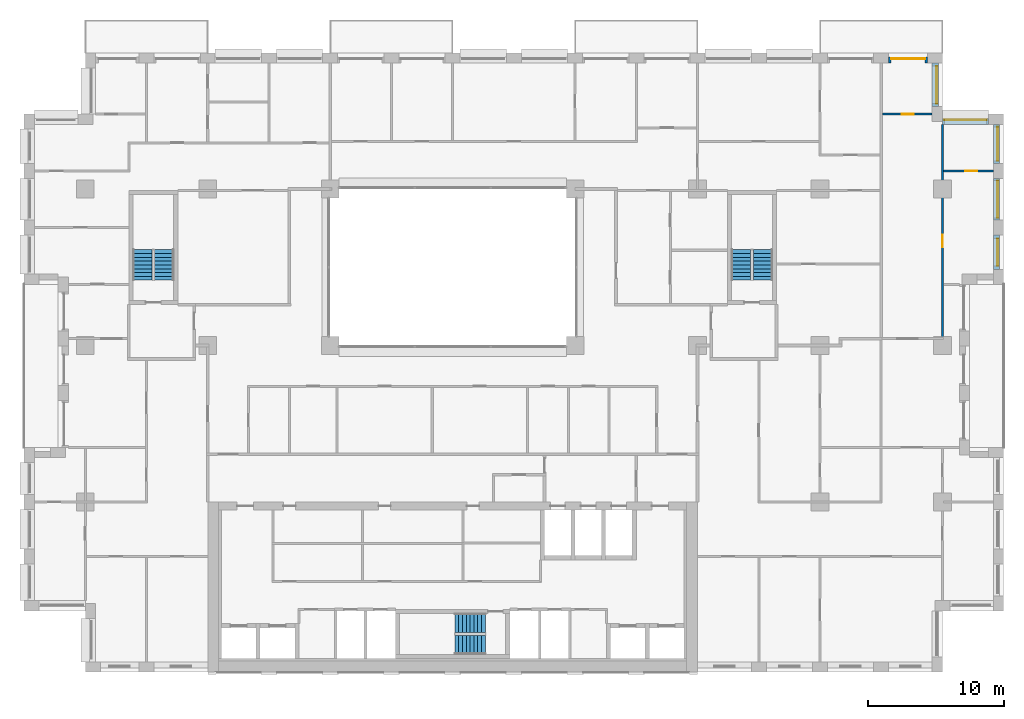
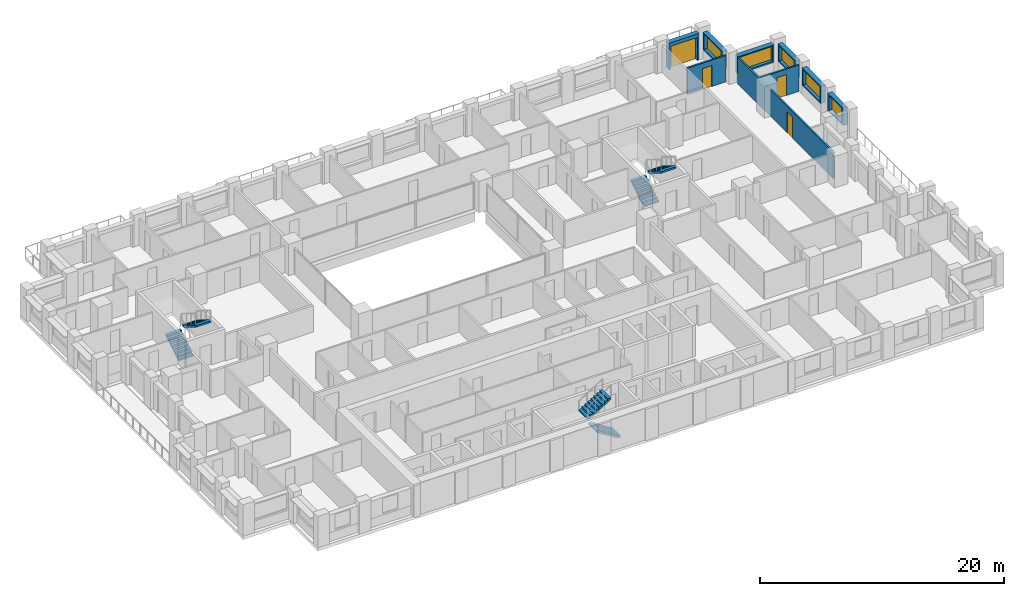
# One storey, part 15 of 17: 9 walls, 6 stair flights, 5 windows, 4 doors, 9 openings, 3 elements without a shape of their own.
"""IFC4 building model written with IfcOpenShell, lengths in metres."""

from ifc_helpers import new_model, si_unit, direction, frame, frame_2d, origin, place, context, subcontext, project, spatial, polyline, rectangle, outline, extrude, material, layer, layer_set, type_object, element, fill, aggregate, save


model = new_model("IFC4")

# Units and contexts
model_context = context("Model", 3, precision=1e-05, world=origin(), true_north=direction((0.0, 1.0)))
body_context = subcontext(model_context, "Body", "Model", "MODEL_VIEW")
ifc_project = project(units=[si_unit("LENGTHUNIT", "METRE"), si_unit("AREAUNIT", "SQUARE_METRE"), si_unit("VOLUMEUNIT", "CUBIC_METRE"), si_unit("PLANEANGLEUNIT", "RADIAN"), si_unit("MASSUNIT", "GRAM", prefix="KILO")], contexts=[model_context])

# Site, building, storey
site_placement = place(None, origin())
site = spatial("IfcSite", under=ifc_project, at=site_placement, CompositionType="ELEMENT")
building_placement = place(site_placement, origin())
building = spatial("IfcBuilding", under=site, at=building_placement, Name="Brigalow Station Residences", CompositionType="ELEMENT")
storey_placement = place(building_placement, frame((0.0, 0.0, 127.64990234375)))
storey = spatial("IfcBuildingStorey", under=building, at=storey_placement, Name="L37", CompositionType="ELEMENT", Elevation=127.64990234375)

# Wall, opening, window
ifc_material_1 = material(Name="Clay brick masonry", Category="masonry")
ifc_layer_1 = layer(ifc_material_1, 0.449951171875)
ifc_layer_set_1 = layer_set([ifc_layer_1], Name="BRICK INFILL WALL 450")
wall_type_1 = type_object("IfcWallType", Name="BRICK INFILL WALL 450", PredefinedType="SOLIDWALL", material=ifc_layer_set_1)
wall_1_placement = place(storey_placement, frame((75.97509765625, 29.60009765625, 0.900146484375), z_axis=(0.0, 0.0, 1.0), x_axis=(0.0, 1.0, 0.0)))
wall_1 = element("IfcWall", 1, at=wall_1_placement, inside=storey, type_object=wall_type_1, Name="L37/ewall/W-L37-18", PredefinedType="SOLIDWALL", context=body_context, shape_type="SweptSolid", body=[
    extrude(rectangle(XDim=2.516845703125, YDim=0.449951171875, at=frame_2d((1.25830078125, 0.0))), origin(), (0.0, 0.0, 1.0), 1.75),
])
opening_1_placement = place(wall_1_placement, frame((0.258544921875, 0.0, 0.14990234375)))
opening_1 = element("IfcOpeningElement", 2, at=opening_1_placement, cuts=wall_1, Name="Opening WT-7", PredefinedType="OPENING", context=body_context, shape_type="SweptSolid", body=[
    extrude(rectangle(XDim=2.0, YDim=1.5, at=frame_2d((1.0, 0.75))), frame((0.0, 0.23486328125, 0.0), z_axis=(0.0, -1.0, 0.0), x_axis=(1.0, 0.0, 0.0)), (0.0, 0.0, 1.0), 0.469970703125),
])
ifc_material_2 = material(Name="Anodised aluminium frame with double glazing", Category="aluminium")
window_type_1 = type_object("IfcWindowType", Name="WINDOW 2000x1500", PartitioningType="SINGLE_PANEL", PredefinedType="WINDOW", material=ifc_material_2)
window_1_placement = place(opening_1_placement, origin())
window_1 = element("IfcWindow", 3, at=window_1_placement, inside=storey, type_object=window_type_1, Name="L37/window/W-L37-18", OverallHeight=1.5, OverallWidth=2.0, PartitioningType="SINGLE_PANEL", PredefinedType="WINDOW", context=body_context, shape_type="SweptSolid", body=[
    extrude(rectangle(XDim=2.0, YDim=1.5, at=frame_2d((1.0, 0.75))), frame((0.0, -0.06494140625, 0.0), z_axis=(0.0, -1.0, 0.0), x_axis=(1.0, 0.0, 0.0)), (0.0, 0.0, 1.0), 0.06005859375),
])
fill(opening_1, window_1)

wall_2_placement = place(storey_placement, frame((75.97509765625, 33.217041015625, 0.900146484375), z_axis=(0.0, 0.0, 1.0), x_axis=(0.0, 1.0, 0.0)))
wall_2 = element("IfcWall", 4, at=wall_2_placement, inside=storey, type_object=wall_type_1, Name="L37/ewall/W-L37-19", PredefinedType="SOLIDWALL", context=body_context, shape_type="SweptSolid", body=[
    extrude(rectangle(XDim=3.06591796875, YDim=0.449951171875, at=frame_2d((1.532958984375, 0.0))), origin(), (0.0, 0.0, 1.0), 1.75),
])
opening_2_placement = place(wall_2_placement, frame((0.157958984375, 0.0, 0.14990234375)))
opening_2 = element("IfcOpeningElement", 5, at=opening_2_placement, cuts=wall_2, Name="Opening WT-3", PredefinedType="OPENING", context=body_context, shape_type="SweptSolid", body=[
    extrude(rectangle(XDim=2.75, YDim=1.5, at=frame_2d((1.375, 0.75))), frame((0.0, 0.23486328125, 0.0), z_axis=(0.0, -1.0, 0.0), x_axis=(1.0, 0.0, 0.0)), (0.0, 0.0, 1.0), 0.469970703125),
])
ifc_material_3 = material(Name="Anodised aluminium frame with double glazing", Category="aluminium")
window_type_2 = type_object("IfcWindowType", Name="WINDOW 2750x1500", PartitioningType="SINGLE_PANEL", PredefinedType="WINDOW", material=ifc_material_3)
window_2_placement = place(opening_2_placement, origin())
window_2 = element("IfcWindow", 6, at=window_2_placement, inside=storey, type_object=window_type_2, Name="L37/window/W-L37-19", OverallHeight=1.5, OverallWidth=2.75, PartitioningType="SINGLE_PANEL", PredefinedType="WINDOW", context=body_context, shape_type="SweptSolid", body=[
    extrude(rectangle(XDim=2.75, YDim=1.5, at=frame_2d((1.375, 0.75))), frame((0.0, -0.06494140625, 0.0), z_axis=(0.0, -1.0, 0.0), x_axis=(1.0, 0.0, 0.0)), (0.0, 0.0, 1.0), 0.06005859375),
])
fill(opening_2, window_2)

wall_3_placement = place(storey_placement, frame((75.97509765625, 37.383056640625, 0.900146484375), z_axis=(0.0, 0.0, 1.0), x_axis=(0.0, 1.0, 0.0)))
wall_3 = element("IfcWall", 7, at=wall_3_placement, inside=storey, type_object=wall_type_1, Name="L37/ewall/W-L37-20", PredefinedType="SOLIDWALL", context=body_context, shape_type="SweptSolid", body=[
    extrude(rectangle(XDim=2.866943359375, YDim=0.449951171875, at=frame_2d((1.43359375, 0.0))), origin(), (0.0, 0.0, 1.0), 1.75),
])
opening_3_placement = place(wall_3_placement, frame((0.18359375, 0.0, 0.14990234375)))
opening_3 = element("IfcOpeningElement", 8, at=opening_3_placement, cuts=wall_3, Name="Opening WT-5", PredefinedType="OPENING", context=body_context, shape_type="SweptSolid", body=[
    extrude(rectangle(XDim=2.5, YDim=1.5, at=frame_2d((1.25, 0.75))), frame((0.0, 0.23486328125, 0.0), z_axis=(0.0, -1.0, 0.0), x_axis=(1.0, 0.0, 0.0)), (0.0, 0.0, 1.0), 0.469970703125),
])
ifc_material_4 = material(Name="Anodised aluminium frame with double glazing", Category="aluminium")
window_type_3 = type_object("IfcWindowType", Name="WINDOW 2500x1500", PartitioningType="SINGLE_PANEL", PredefinedType="WINDOW", material=ifc_material_4)
window_3_placement = place(opening_3_placement, origin())
window_3 = element("IfcWindow", 9, at=window_3_placement, inside=storey, type_object=window_type_3, Name="L37/window/W-L37-20", OverallHeight=1.5, OverallWidth=2.5, PartitioningType="SINGLE_PANEL", PredefinedType="WINDOW", context=body_context, shape_type="SweptSolid", body=[
    extrude(rectangle(XDim=2.5, YDim=1.5, at=frame_2d((1.25, 0.75))), frame((0.0, -0.06494140625, 0.0), z_axis=(0.0, -1.0, 0.0), x_axis=(1.0, 0.0, 0.0)), (0.0, 0.0, 1.0), 0.06005859375),
])
fill(opening_3, window_3)

wall_4_placement = place(storey_placement, frame((75.39990234375, 40.47509765625, 0.900146484375), z_axis=(0.0, 0.0, 1.0), x_axis=(-1.0, 0.0, 0.0)))
wall_4 = element("IfcWall", 10, at=wall_4_placement, inside=storey, type_object=wall_type_1, Name="L37/ewall/W-L37-21", PredefinedType="SOLIDWALL", context=body_context, shape_type="SweptSolid", body=[
    extrude(rectangle(XDim=3.39990234375, YDim=0.449951171875, at=frame_2d((1.699951171875, 0.0))), origin(), (0.0, 0.0, 1.0), 1.75),
])
opening_4_placement = place(wall_4_placement, frame((0.14990234375, 0.0, 0.14990234375)))
opening_4 = element("IfcOpeningElement", 11, at=opening_4_placement, cuts=wall_4, Name="Opening WT-8", PredefinedType="OPENING", context=body_context, shape_type="SweptSolid", body=[
    extrude(rectangle(XDim=3.10009765625, YDim=1.5, at=frame_2d((1.550048828125, 0.75))), frame((0.0, 0.23486328125, 0.0), z_axis=(0.0, -1.0, 0.0), x_axis=(1.0, 0.0, 0.0)), (0.0, 0.0, 1.0), 0.469970703125),
])
ifc_material_5 = material(Name="Anodised aluminium frame with double glazing", Category="aluminium")
window_type_4 = type_object("IfcWindowType", Name="WINDOW 3100x1500", PartitioningType="SINGLE_PANEL", PredefinedType="WINDOW", material=ifc_material_5)
window_4_placement = place(opening_4_placement, origin())
window_4 = element("IfcWindow", 12, at=window_4_placement, inside=storey, type_object=window_type_4, Name="L37/window/W-L37-21", OverallHeight=1.5, OverallWidth=3.10009765625, PartitioningType="SINGLE_PANEL", PredefinedType="WINDOW", context=body_context, shape_type="SweptSolid", body=[
    extrude(rectangle(XDim=3.10009765625, YDim=1.5, at=frame_2d((1.550048828125, 0.75))), frame((0.0, -0.06494140625, 0.0), z_axis=(0.0, -1.0, 0.0), x_axis=(1.0, 0.0, 0.0)), (0.0, 0.0, 1.0), 0.06005859375),
])
fill(opening_4, window_4)

wall_5_placement = place(storey_placement, frame((71.47509765625, 41.550048828125, 0.900146484375), z_axis=(0.0, 0.0, 1.0), x_axis=(0.0, 1.0, 0.0)))
wall_5 = element("IfcWall", 13, at=wall_5_placement, inside=storey, type_object=wall_type_1, Name="L37/ewall/W-L37-22", PredefinedType="SOLIDWALL", context=body_context, shape_type="SweptSolid", body=[
    extrude(rectangle(XDim=3.199951171875, YDim=0.449951171875, at=frame_2d((1.60009765625, 0.0))), origin(), (0.0, 0.0, 1.0), 1.75),
])
opening_5_placement = place(wall_5_placement, frame((0.22509765625, 0.0, 0.14990234375)))
opening_5 = element("IfcOpeningElement", 14, at=opening_5_placement, cuts=wall_5, Name="Opening WT-3", PredefinedType="OPENING", context=body_context, shape_type="SweptSolid", body=[
    extrude(rectangle(XDim=2.75, YDim=1.5, at=frame_2d((1.375, 0.75))), frame((0.0, 0.23486328125, 0.0), z_axis=(0.0, -1.0, 0.0), x_axis=(1.0, 0.0, 0.0)), (0.0, 0.0, 1.0), 0.469970703125),
])
window_5_placement = place(opening_5_placement, origin())
window_5 = element("IfcWindow", 15, at=window_5_placement, inside=storey, type_object=window_type_2, Name="L37/window/W-L37-22", OverallHeight=1.5, OverallWidth=2.75, PartitioningType="SINGLE_PANEL", PredefinedType="WINDOW", context=body_context, shape_type="SweptSolid", body=[
    extrude(rectangle(XDim=2.75, YDim=1.5, at=frame_2d((1.375, 0.75))), frame((0.0, -0.06494140625, 0.0), z_axis=(0.0, -1.0, 0.0), x_axis=(1.0, 0.0, 0.0)), (0.0, 0.0, 1.0), 0.06005859375),
])
fill(opening_5, window_5)

# Wall, opening, door
wall_6_placement = place(storey_placement, frame((70.89990234375, 44.97509765625, 0.0), z_axis=(0.0, 0.0, 1.0), x_axis=(-1.0, 0.0, 0.0)))
wall_6 = element("IfcWall", 16, at=wall_6_placement, inside=storey, type_object=wall_type_1, Name="L37/ewall/W-L37-23", PredefinedType="SOLIDWALL", context=body_context, shape_type="SweptSolid", body=[
    extrude(rectangle(XDim=2.849853515625, YDim=0.449951171875, at=frame_2d((1.4248046875, 0.0))), origin(), (0.0, 0.0, 1.0), 2.650146484375),
])
opening_6_placement = place(wall_6_placement, frame((0.175048828125, 0.0, 0.0)))
opening_6 = element("IfcOpeningElement", 17, at=opening_6_placement, cuts=wall_6, Name="Opening D-B2500", PredefinedType="OPENING", context=body_context, shape_type="SweptSolid", body=[
    extrude(rectangle(XDim=2.5, YDim=2.300048828125, at=frame_2d((1.25, 1.14990234375))), frame((0.0, 0.23486328125, 0.0), z_axis=(0.0, -1.0, 0.0), x_axis=(1.0, 0.0, 0.0)), (0.0, 0.0, 1.0), 0.469970703125),
])
ifc_material_6 = material(Name="Anodised aluminium frame with double glazing", Category="aluminium")
door_type_1 = type_object("IfcDoorType", Name="BALCONY SLIDING DOOR 2500x2300", OperationType="SLIDING_TO_LEFT", PredefinedType="DOOR", material=ifc_material_6)
door_1_placement = place(opening_6_placement, origin())
door_1 = element("IfcDoor", 18, at=door_1_placement, inside=storey, type_object=door_type_1, Name="L37/balcony-door/W-L37-23", OperationType="SLIDING_TO_LEFT", OverallHeight=2.300048828125, OverallWidth=2.5, PredefinedType="DOOR", context=body_context, shape_type="SweptSolid", body=[
    extrude(rectangle(XDim=2.5, YDim=2.300048828125, at=frame_2d((1.25, 1.14990234375))), frame((0.0, -0.06982421875, 0.0), z_axis=(0.0, -1.0, 0.0), x_axis=(1.0, 0.0, 0.0)), (0.0, 0.0, 1.0), 0.050048828125),
])
fill(opening_6, door_1)

ifc_material_7 = material(Name="Plasterboard on steel stud partition", Category="steel")
ifc_layer_2 = layer(ifc_material_7, 0.14990234375)
ifc_layer_set_2 = layer_set([ifc_layer_2], Name="FLAT PARTITION 150")
wall_type_2 = type_object("IfcWallType", Name="FLAT PARTITION 150", PredefinedType="PARTITIONING", material=ifc_layer_set_2)
wall_7_placement = place(storey_placement, frame((72.074951171875, 36.8330078125, 0.0), z_axis=(0.0, 0.0, 1.0), x_axis=(1.0, 0.0, 0.0)))
wall_7 = element("IfcWall", 19, at=wall_7_placement, inside=storey, type_object=wall_type_2, Name="PW-2F24", PredefinedType="PARTITIONING", context=body_context, shape_type="SweptSolid", body=[
    extrude(rectangle(XDim=3.675048828125, YDim=0.14990234375, at=frame_2d((1.83740234375, 0.0))), origin(), (0.0, 0.0, 1.0), 2.650146484375),
])
opening_7_placement = place(wall_7_placement, frame((1.60009765625, 0.0, 0.0)))
opening_7 = element("IfcOpeningElement", 20, at=opening_7_placement, cuts=wall_7, Name="Opening D-2F48", PredefinedType="OPENING", context=body_context, shape_type="SweptSolid", body=[
    extrude(rectangle(XDim=0.89990234375, YDim=2.10009765625, at=frame_2d((0.449951171875, 1.050048828125))), frame((0.0, 0.0849609375, 0.0), z_axis=(0.0, -1.0, 0.0), x_axis=(1.0, 0.0, 0.0)), (0.0, 0.0, 1.0), 0.169921875),
])
ifc_material_8 = material(Name="Solid-core timber door leaf", Category="wood")
door_type_2 = type_object("IfcDoorType", Name="INTERNAL DOOR 900 x 2100", OperationType="SINGLE_SWING_LEFT", PredefinedType="DOOR", material=ifc_material_8)
door_2_placement = place(opening_7_placement, origin())
door_2 = element("IfcDoor", 21, at=door_2_placement, inside=storey, type_object=door_type_2, Name="D-2F48", OperationType="SINGLE_SWING_RIGHT", OverallHeight=2.10009765625, OverallWidth=0.89990234375, PredefinedType="DOOR", context=body_context, shape_type="SweptSolid", body=[
    extrude(rectangle(XDim=0.89990234375, YDim=2.10009765625, at=frame_2d((0.449951171875, 1.050048828125))), frame((0.0, 0.02490234375, 0.0), z_axis=(0.0, -1.0, 0.0), x_axis=(1.0, 0.0, 0.0)), (0.0, 0.0, 1.0), 0.050048828125),
])
fill(opening_7, door_2)

wall_8_placement = place(storey_placement, frame((67.60009765625, 41.0, 0.0), z_axis=(0.0, 0.0, 1.0), x_axis=(1.0, 0.0, 0.0)))
wall_8 = element("IfcWall", 22, at=wall_8_placement, inside=storey, type_object=wall_type_2, Name="PW-2F30", PredefinedType="PARTITIONING", context=body_context, shape_type="SweptSolid", body=[
    extrude(rectangle(XDim=3.64990234375, YDim=0.14990234375, at=frame_2d((1.824951171875, 0.0))), origin(), (0.0, 0.0, 1.0), 2.650146484375),
])
opening_8_placement = place(wall_8_placement, frame((1.39990234375, 0.0, 0.0)))
opening_8 = element("IfcOpeningElement", 23, at=opening_8_placement, cuts=wall_8, Name="Opening D-2F49", PredefinedType="OPENING", context=body_context, shape_type="SweptSolid", body=[
    extrude(rectangle(XDim=0.89990234375, YDim=2.10009765625, at=frame_2d((0.449951171875, 1.050048828125))), frame((0.0, 0.0849609375, 0.0), z_axis=(0.0, -1.0, 0.0), x_axis=(1.0, 0.0, 0.0)), (0.0, 0.0, 1.0), 0.169921875),
])
door_3_placement = place(opening_8_placement, origin())
door_3 = element("IfcDoor", 24, at=door_3_placement, inside=storey, type_object=door_type_2, Name="D-2F49", OperationType="SINGLE_SWING_RIGHT", OverallHeight=2.10009765625, OverallWidth=0.89990234375, PredefinedType="DOOR", context=body_context, shape_type="SweptSolid", body=[
    extrude(rectangle(XDim=0.89990234375, YDim=2.10009765625, at=frame_2d((0.449951171875, 1.050048828125))), frame((0.0, 0.02490234375, 0.0), z_axis=(0.0, -1.0, 0.0), x_axis=(1.0, 0.0, 0.0)), (0.0, 0.0, 1.0), 0.050048828125),
])
fill(opening_8, door_3)

wall_9_placement = place(storey_placement, frame((72.0, 24.574951171875, 0.0), z_axis=(0.0, 0.0, 1.0), x_axis=(0.0, 1.0, 0.0)))
wall_9 = element("IfcWall", 25, at=wall_9_placement, inside=storey, type_object=wall_type_2, Name="PW-2F71", PredefinedType="PARTITIONING", context=body_context, shape_type="SweptSolid", body=[
    extrude(rectangle(XDim=15.675048828125, YDim=0.14990234375, at=frame_2d((7.83740234375, 0.0))), origin(), (0.0, 0.0, 1.0), 2.650146484375),
])
opening_9_placement = place(wall_9_placement, frame((6.64990234375, 0.0, 0.0)))
opening_9 = element("IfcOpeningElement", 26, at=opening_9_placement, cuts=wall_9, Name="Opening D-2F47", PredefinedType="OPENING", context=body_context, shape_type="SweptSolid", body=[
    extrude(rectangle(XDim=0.89990234375, YDim=2.10009765625, at=frame_2d((0.449951171875, 1.050048828125))), frame((0.0, 0.0849609375, 0.0), z_axis=(0.0, -1.0, 0.0), x_axis=(1.0, 0.0, 0.0)), (0.0, 0.0, 1.0), 0.169921875),
])
door_4_placement = place(opening_9_placement, frame((0.89990234375, 0.0, 0.0), z_axis=(0.0, 0.0, 1.0), x_axis=(-1.0, 0.0, 0.0)))
door_4 = element("IfcDoor", 27, at=door_4_placement, inside=storey, type_object=door_type_2, Name="D-2F47", OperationType="SINGLE_SWING_RIGHT", OverallHeight=2.10009765625, OverallWidth=0.89990234375, PredefinedType="DOOR", context=body_context, shape_type="SweptSolid", body=[
    extrude(rectangle(XDim=0.89990234375, YDim=2.10009765625, at=frame_2d((0.449951171875, 1.050048828125))), frame((0.0, 0.02490234375, 0.0), z_axis=(0.0, -1.0, 0.0), x_axis=(1.0, 0.0, 0.0)), (0.0, 0.0, 1.0), 0.050048828125),
])
fill(opening_9, door_4)

# Stair, stair flights
ifc_material_9 = material(Name="Concrete C50", Category="concrete")
stair_type = type_object("IfcStairType", Name="EXIT STAIR 1400 2 FLIGHT", PredefinedType="HALF_TURN_STAIR", material=ifc_material_9)
stair_1_placement = place(storey_placement, origin())
stair_1 = element("IfcStair", 28, at=stair_1_placement, inside=storey, type_object=stair_type, Name="EXIT STAIR S2 L37", PredefinedType="HALF_TURN_STAIR")
ifc_material_10 = material(Name="Concrete C50", Category="concrete")
stair_flight_type = type_object("IfcStairFlightType", Name="STAIR FLIGHT 1400", PredefinedType="STRAIGHT", material=ifc_material_10)
stair_flight_1_placement = place(storey_placement, frame((38.39990234375, 2.0, 0.0), z_axis=(0.0, 0.0, 1.0), x_axis=(-1.0, 0.0, 0.0)))
stair_flight_1 = element("IfcStairFlight", 29, at=stair_flight_1_placement, type_object=stair_flight_type, Name="ST-2 flight 1", NumberOfRisers=9, NumberOfTreads=8, PredefinedType="STRAIGHT", RiserHeight=0.175, TreadLength=0.28, context=body_context, shape_type="SweptSolid", body=[
    extrude(outline(polyline([(0.0, 0.0), (0.0, 0.175048828125), (0.280029296875, 0.175048828125), (0.280029296875, 0.35009765625), (0.56005859375, 0.35009765625), (0.56005859375, 0.52490234375), (0.840087890625, 0.52490234375), (0.840087890625, 0.699951171875), (1.1201171875, 0.699951171875), (1.1201171875, 0.875), (1.39990234375, 0.875), (1.39990234375, 1.050048828125), (1.679931640625, 1.050048828125), (1.679931640625, 1.22509765625), (1.9599609375, 1.22509765625), (1.9599609375, 1.39990234375), (2.239990234375, 1.39990234375), (2.239990234375, 1.574951171875), (2.239990234375, 1.22314453125), (0.28271484375, 0.0), (0.0, 0.0)])), frame((0.0, 0.699951171875, 0.0), z_axis=(0.0, -1.0, 0.0), x_axis=(1.0, 0.0, 0.0)), (0.0, 0.0, 1.0), 1.39990234375),
])
stair_flight_2_placement = place(storey_placement, frame((36.159912109375, 3.60009765625, 1.5751953125), z_axis=(0.0, 0.0, 1.0), x_axis=(1.0, 0.0, 0.0)))
stair_flight_2 = element("IfcStairFlight", 30, at=stair_flight_2_placement, type_object=stair_flight_type, Name="ST-2 flight 2", NumberOfRisers=9, NumberOfTreads=8, PredefinedType="STRAIGHT", RiserHeight=0.175, TreadLength=0.28, context=body_context, shape_type="SweptSolid", body=[
    extrude(outline(polyline([(0.0, 0.0), (0.0, 0.175048828125), (0.280029296875, 0.175048828125), (0.280029296875, 0.35009765625), (0.56005859375, 0.35009765625), (0.56005859375, 0.52490234375), (0.840087890625, 0.52490234375), (0.840087890625, 0.699951171875), (1.1201171875, 0.699951171875), (1.1201171875, 0.875), (1.39990234375, 0.875), (1.39990234375, 1.050048828125), (1.679931640625, 1.050048828125), (1.679931640625, 1.22509765625), (1.9599609375, 1.22509765625), (1.9599609375, 1.39990234375), (2.239990234375, 1.39990234375), (2.239990234375, 1.574951171875), (2.239990234375, 1.22314453125), (0.28271484375, 0.0), (0.0, 0.0)])), frame((0.0, 0.699951171875, 0.0), z_axis=(0.0, -1.0, 0.0), x_axis=(1.0, 0.0, 0.0)), (0.0, 0.0, 1.0), 1.39990234375),
])
aggregate(stair_1, [stair_flight_1, stair_flight_2])

stair_2_placement = place(storey_placement, origin())
stair_2 = element("IfcStair", 31, at=stair_2_placement, inside=storey, type_object=stair_type, Name="EXIT STAIR S1 L37", PredefinedType="HALF_TURN_STAIR")
stair_flight_3_placement = place(storey_placement, frame((13.199951171875, 28.800048828125, 0.0), z_axis=(0.0, 0.0, 1.0), x_axis=(0.0, 1.0, 0.0)))
stair_flight_3 = element("IfcStairFlight", 32, at=stair_flight_3_placement, type_object=stair_flight_type, Name="ST-1 flight 1", NumberOfRisers=9, NumberOfTreads=8, PredefinedType="STRAIGHT", RiserHeight=0.175, TreadLength=0.28, context=body_context, shape_type="SweptSolid", body=[
    extrude(outline(polyline([(0.0, 0.0), (0.0, 0.175048828125), (0.280029296875, 0.175048828125), (0.280029296875, 0.35009765625), (0.56005859375, 0.35009765625), (0.56005859375, 0.52490234375), (0.840087890625, 0.52490234375), (0.840087890625, 0.699951171875), (1.1201171875, 0.699951171875), (1.1201171875, 0.875), (1.39990234375, 0.875), (1.39990234375, 1.050048828125), (1.679931640625, 1.050048828125), (1.679931640625, 1.22509765625), (1.9599609375, 1.22509765625), (1.9599609375, 1.39990234375), (2.239990234375, 1.39990234375), (2.239990234375, 1.574951171875), (2.239990234375, 1.22314453125), (0.28271484375, 0.0), (0.0, 0.0)])), frame((0.0, 0.699951171875, 0.0), z_axis=(0.0, -1.0, 0.0), x_axis=(1.0, 0.0, 0.0)), (0.0, 0.0, 1.0), 1.39990234375),
])
stair_flight_4_placement = place(storey_placement, frame((14.800048828125, 31.0400390625, 1.5751953125), z_axis=(0.0, 0.0, 1.0), x_axis=(0.0, -1.0, 0.0)))
stair_flight_4 = element("IfcStairFlight", 33, at=stair_flight_4_placement, type_object=stair_flight_type, Name="ST-1 flight 2", NumberOfRisers=9, NumberOfTreads=8, PredefinedType="STRAIGHT", RiserHeight=0.175, TreadLength=0.28, context=body_context, shape_type="SweptSolid", body=[
    extrude(outline(polyline([(0.0, 0.0), (0.0, 0.175048828125), (0.280029296875, 0.175048828125), (0.280029296875, 0.35009765625), (0.56005859375, 0.35009765625), (0.56005859375, 0.52490234375), (0.840087890625, 0.52490234375), (0.840087890625, 0.699951171875), (1.1201171875, 0.699951171875), (1.1201171875, 0.875), (1.39990234375, 0.875), (1.39990234375, 1.050048828125), (1.679931640625, 1.050048828125), (1.679931640625, 1.22509765625), (1.9599609375, 1.22509765625), (1.9599609375, 1.39990234375), (2.239990234375, 1.39990234375), (2.239990234375, 1.574951171875), (2.239990234375, 1.22314453125), (0.28271484375, 0.0), (0.0, 0.0)])), frame((0.0, 0.699951171875, 0.0), z_axis=(0.0, -1.0, 0.0), x_axis=(1.0, 0.0, 0.0)), (0.0, 0.0, 1.0), 1.39990234375),
])
aggregate(stair_2, [stair_flight_3, stair_flight_4])

stair_3_placement = place(storey_placement, origin())
stair_3 = element("IfcStair", 34, at=stair_3_placement, inside=storey, type_object=stair_type, Name="EXIT STAIR S3 L37", PredefinedType="HALF_TURN_STAIR")
stair_flight_5_placement = place(storey_placement, frame((57.199951171875, 28.800048828125, 0.0), z_axis=(0.0, 0.0, 1.0), x_axis=(0.0, 1.0, 0.0)))
stair_flight_5 = element("IfcStairFlight", 35, at=stair_flight_5_placement, type_object=stair_flight_type, Name="ST-3 flight 1", NumberOfRisers=9, NumberOfTreads=8, PredefinedType="STRAIGHT", RiserHeight=0.175, TreadLength=0.28, context=body_context, shape_type="SweptSolid", body=[
    extrude(outline(polyline([(0.0, 0.0), (0.0, 0.175048828125), (0.280029296875, 0.175048828125), (0.280029296875, 0.35009765625), (0.56005859375, 0.35009765625), (0.56005859375, 0.52490234375), (0.840087890625, 0.52490234375), (0.840087890625, 0.699951171875), (1.1201171875, 0.699951171875), (1.1201171875, 0.875), (1.39990234375, 0.875), (1.39990234375, 1.050048828125), (1.679931640625, 1.050048828125), (1.679931640625, 1.22509765625), (1.9599609375, 1.22509765625), (1.9599609375, 1.39990234375), (2.239990234375, 1.39990234375), (2.239990234375, 1.574951171875), (2.239990234375, 1.22314453125), (0.28271484375, 0.0), (0.0, 0.0)])), frame((0.0, 0.699951171875, 0.0), z_axis=(0.0, -1.0, 0.0), x_axis=(1.0, 0.0, 0.0)), (0.0, 0.0, 1.0), 1.39990234375),
])
stair_flight_6_placement = place(storey_placement, frame((58.800048828125, 31.0400390625, 1.5751953125), z_axis=(0.0, 0.0, 1.0), x_axis=(0.0, -1.0, 0.0)))
stair_flight_6 = element("IfcStairFlight", 36, at=stair_flight_6_placement, type_object=stair_flight_type, Name="ST-3 flight 2", NumberOfRisers=9, NumberOfTreads=8, PredefinedType="STRAIGHT", RiserHeight=0.175, TreadLength=0.28, context=body_context, shape_type="SweptSolid", body=[
    extrude(outline(polyline([(0.0, 0.0), (0.0, 0.175048828125), (0.280029296875, 0.175048828125), (0.280029296875, 0.35009765625), (0.56005859375, 0.35009765625), (0.56005859375, 0.52490234375), (0.840087890625, 0.52490234375), (0.840087890625, 0.699951171875), (1.1201171875, 0.699951171875), (1.1201171875, 0.875), (1.39990234375, 0.875), (1.39990234375, 1.050048828125), (1.679931640625, 1.050048828125), (1.679931640625, 1.22509765625), (1.9599609375, 1.22509765625), (1.9599609375, 1.39990234375), (2.239990234375, 1.39990234375), (2.239990234375, 1.574951171875), (2.239990234375, 1.22314453125), (0.28271484375, 0.0), (0.0, 0.0)])), frame((0.0, 0.699951171875, 0.0), z_axis=(0.0, -1.0, 0.0), x_axis=(1.0, 0.0, 0.0)), (0.0, 0.0, 1.0), 1.39990234375),
])
aggregate(stair_3, [stair_flight_5, stair_flight_6])

save(model, "model.ifc")
